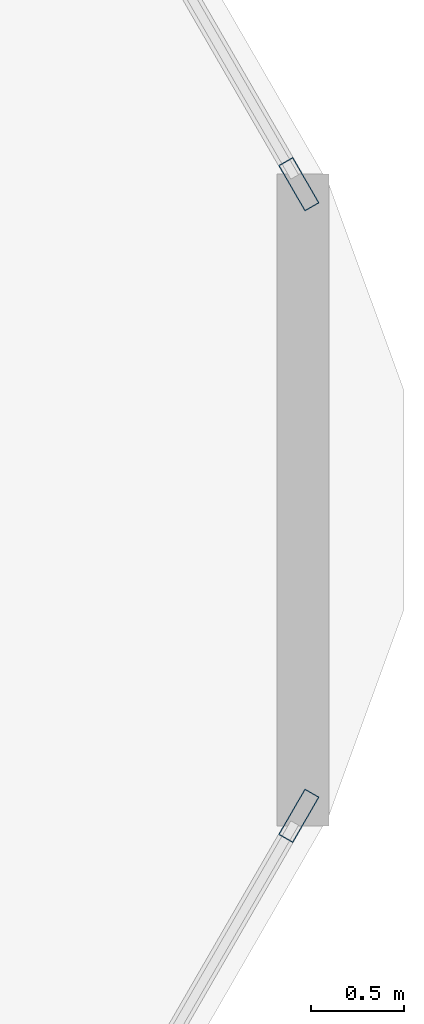
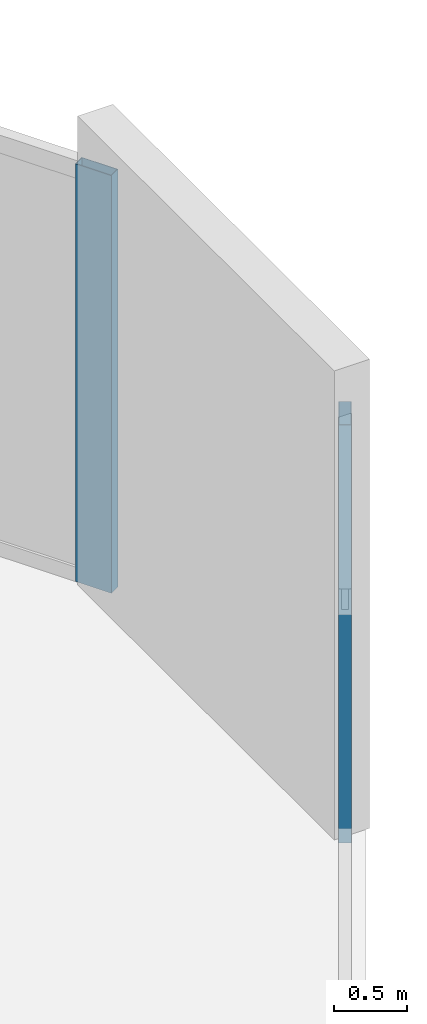
# One storey, part 20 of 25: 2 members, 2 elements without a shape of their own.
"""IFC4 building model written with IfcOpenShell, lengths in metres."""

from ifc_helpers import new_model, si_unit, direction, frame, origin, origin_2d, place, context, subcontext, project, spatial, hollow_rectangle, extrude, material, material_profile, profile_set, type_object, element, aggregate, save


model = new_model("IFC4")

# Units and contexts
model_context = context("Model", 3, precision=1e-05, world=origin(), true_north=direction((0.0, 1.0)))
body_context = subcontext(model_context, "Body", "Model", "MODEL_VIEW")
ifc_project = project(units=[si_unit("LENGTHUNIT", "METRE"), si_unit("AREAUNIT", "SQUARE_METRE"), si_unit("VOLUMEUNIT", "CUBIC_METRE"), si_unit("PLANEANGLEUNIT", "RADIAN"), si_unit("MASSUNIT", "GRAM", prefix="KILO")], contexts=[model_context])

# Site, building, storey
site_placement = place(None, origin())
site = spatial("IfcSite", under=ifc_project, at=site_placement, CompositionType="ELEMENT")
building_placement = place(site_placement, origin())
building = spatial("IfcBuilding", under=site, at=building_placement, Name="Zuhravey Tower", CompositionType="ELEMENT")
storey_placement = place(building_placement, frame((0.0, 0.0, 20.39990234375)))
storey = spatial("IfcBuildingStorey", under=building, at=storey_placement, Name="L05", CompositionType="ELEMENT", Elevation=20.39990234375)

# Curtain wall, member
ifc_material_1 = material(Name="Thermally broken anodised aluminium", Category="aluminium")
curtain_wall_type = type_object("IfcCurtainWallType", Name="School Low-E Unitised Curtain Wall CW1", PredefinedType="NOTDEFINED", material=ifc_material_1)
curtain_wall_1_placement = place(storey_placement, origin())
curtain_wall_1 = element("IfcCurtainWall", 1, at=curtain_wall_1_placement, inside=storey, type_object=curtain_wall_type, Name="L05 CW1 CW-L05-F6-1", PredefinedType="NOTDEFINED")
ifc_material_2 = material(Name="Anodised aluminium", Category="aluminium")
ifc_material_profile = material_profile(ifc_material_2, hollow_rectangle(XDim=0.090087890625, YDim=0.284912109375, WallThickness=0.0048828125, at=origin_2d()), Name="ALU-RHS-90x285x5")
ifc_profile_set = profile_set([ifc_material_profile], Name="Anodised aluminium")
member_type = type_object("IfcMemberType", Name="Curtain-Wall Mullion 90x180", PredefinedType="MULLION", material=ifc_profile_set)
member_1_placement = place(storey_placement, frame((68.4560546875, 30.298583984375, 0.0), z_axis=(0.0, 0.0, 1.0), x_axis=(0.86602552265, -0.499999794119, 0.0)))
member_1 = element("IfcMember", 2, at=member_1_placement, type_object=member_type, Name="CW1 mullion 1", PredefinedType="MULLION", context=body_context, shape_type="SweptSolid", body=[
    extrude(hollow_rectangle(XDim=0.090087890625, YDim=0.284912109375, WallThickness=0.0048828125, at=origin_2d()), origin(), (0.0, 0.0, 1.0), 3.4921875),
])
aggregate(curtain_wall_1, [member_1])

curtain_wall_2_placement = place(storey_placement, origin())
curtain_wall_2 = element("IfcCurtainWall", 3, at=curtain_wall_2_placement, inside=storey, type_object=curtain_wall_type, Name="L05 CW1 CW-L05-F1-1", PredefinedType="NOTDEFINED")
member_2_placement = place(storey_placement, frame((68.4560546875, 33.701416015625, 0.0), z_axis=(0.0, 0.0, 1.0), x_axis=(0.86602552265, 0.499999794119, 0.0)))
member_2 = element("IfcMember", 4, at=member_2_placement, type_object=member_type, Name="CW1 mullion 4", PredefinedType="MULLION", context=body_context, shape_type="SweptSolid", body=[
    extrude(hollow_rectangle(XDim=0.090087890625, YDim=0.284912109375, WallThickness=0.0048828125, at=origin_2d()), origin(), (0.0, 0.0, 1.0), 3.4921875),
])
aggregate(curtain_wall_2, [member_2])

save(model, "model.ifc")
